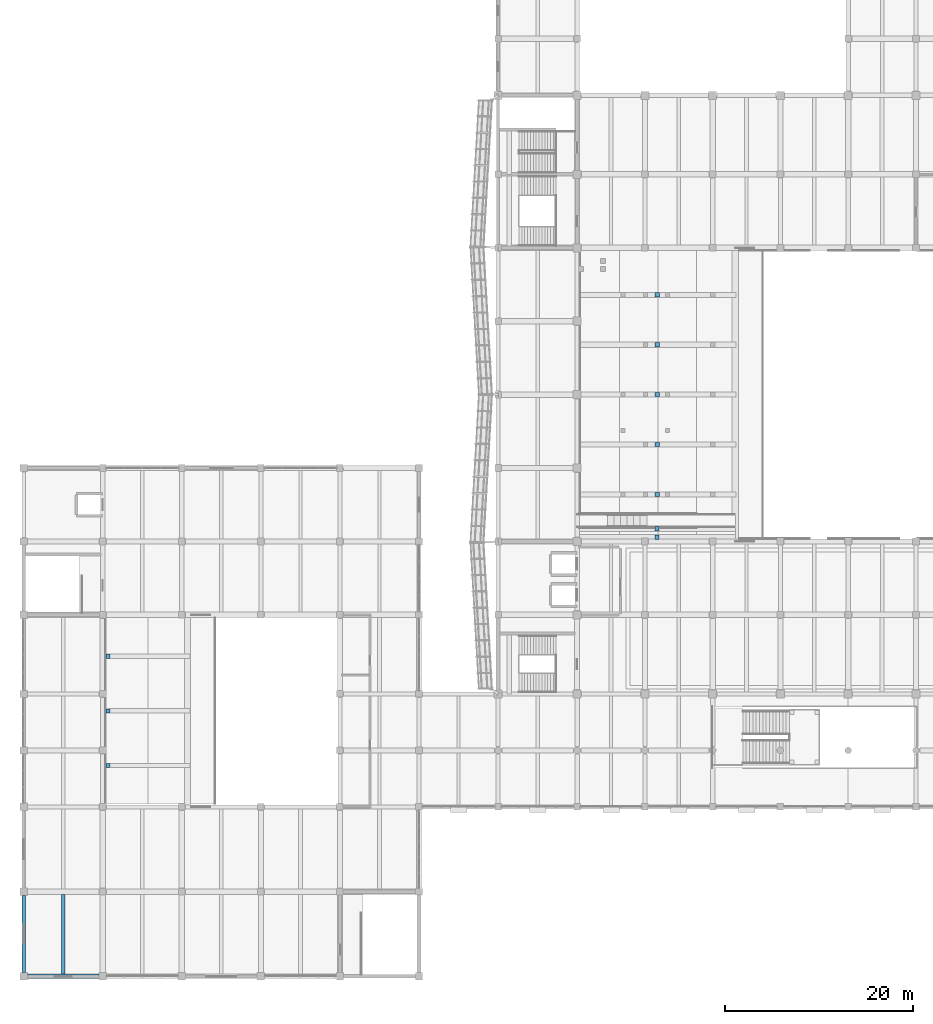
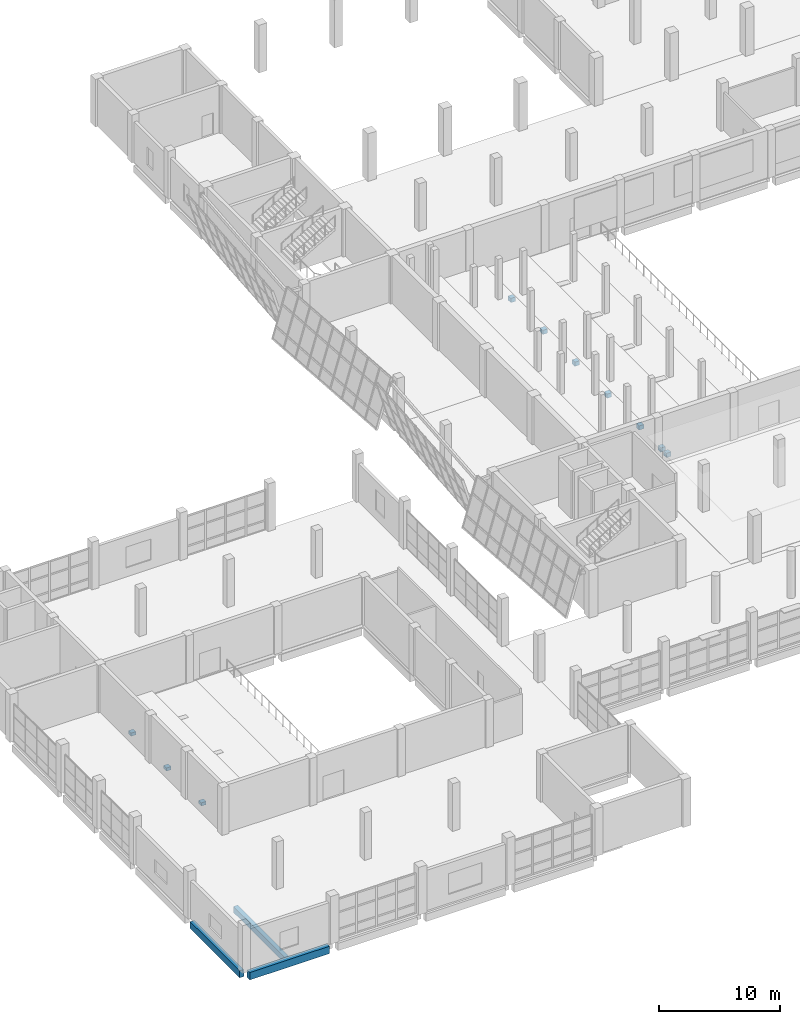
# One storey, part 3 of 91: 10 columns, 3 beams.
"""IFC4 building model written with IfcOpenShell, lengths in metres."""

import ifcopenshell
import ifcopenshell.guid

model = None  # the IFC model being written
_history = None  # IfcOwnerHistory: only IFC2X3 demands one
_inside = {}  # id of a spatial element -> (the spatial element, [elements in it])
_under = {}  # id of a project, library or spatial element -> (it, [spatial elements below it])
_declared = {}  # id of a project -> (the project, [libraries it declares])
_typed = {}  # id of a type object -> (the type object, [elements of that type])
_made_of = {}  # id of a material, layer set ... -> (it, [elements and type objects made of it])


def new_model(schema):
    """Start an empty IFC model of exactly this schema.

    Asked for "IFC4X3", IfcOpenShell would pick the latest addendum, in which some entities
    have other attributes; the version numbers below select the first issue.
    IFC2X3 requires an IfcOwnerHistory on every rooted entity: one is made here for all.
    """
    global model, _history
    if schema == "IFC4X3":
        model = ifcopenshell.file(schema_version=(4, 3, 0, 0))
    else:
        model = ifcopenshell.file(schema=schema)
    _inside.clear()
    _under.clear()
    _declared.clear()
    _typed.clear()
    _made_of.clear()
    _history = None
    if model.schema == "IFC2X3":
        org = make("IfcOrganization", Name="unknown")
        user = make(
            "IfcPersonAndOrganization",
            ThePerson=make("IfcPerson", FamilyName="unknown"),
            TheOrganization=org,
        )
        app = make(
            "IfcApplication",
            ApplicationDeveloper=org,
            Version="unknown",
            ApplicationFullName="unknown",
            ApplicationIdentifier="unknown",
        )
        _history = make(
            "IfcOwnerHistory",
            OwningUser=user,
            OwningApplication=app,
            ChangeAction="ADDED",
            CreationDate=0,
        )
    return model


def make(cls, **values):
    """One entity of the class cls with the attributes given. An attribute that is None is left unset."""
    return model.create_entity(
        cls, **{name: value for name, value in values.items() if value is not None}
    )


def rooted(cls, **values):
    """An entity with a GlobalId (a new one), such as an element, a storey or a relation."""
    return make(cls, GlobalId=ifcopenshell.guid.new(), OwnerHistory=_history, **values)


def si_unit(unit_type, name, prefix=None):
    """IfcSIUnit, for example si_unit("LENGTHUNIT", "METRE", prefix="MILLI")."""
    return make("IfcSIUnit", UnitType=unit_type, Prefix=prefix, Name=name)


def assignment(units):
    """IfcUnitAssignment: the units of a project."""
    return None if units is None else make("IfcUnitAssignment", Units=units)


def point(xyz):
    """IfcCartesianPoint."""
    return None if xyz is None else make("IfcCartesianPoint", Coordinates=xyz)


def direction(xyz):
    """IfcDirection."""
    return None if xyz is None else make("IfcDirection", DirectionRatios=xyz)


def frame(location, z_axis=None, x_axis=None):
    """IfcAxis2Placement3D, a coordinate frame: its origin and axes. An axis left out is left unset."""
    return make(
        "IfcAxis2Placement3D",
        Location=point(location),
        Axis=direction(z_axis),
        RefDirection=direction(x_axis),
    )


def frame_2d(location, x_axis=None):
    """IfcAxis2Placement2D, a coordinate frame in the plane: its origin and x axis."""
    return make(
        "IfcAxis2Placement2D", Location=point(location), RefDirection=direction(x_axis)
    )


def origin():
    """The frame at (0, 0, 0) with its axes left unset."""
    return frame((0.0, 0.0, 0.0))


def origin_2d():
    """The frame at (0, 0) in the plane with its x axis left unset."""
    return frame_2d((0.0, 0.0))


def place(relative_to, where):
    """IfcLocalPlacement: puts the frame where relative to a parent placement (None: the world)."""
    return make(
        "IfcLocalPlacement", PlacementRelTo=relative_to, RelativePlacement=where
    )


def context(
    kind, dimensions, precision=None, world=None, true_north=None, identifier=None
):
    """IfcGeometricRepresentationContext, for example the 3D "Model" context."""
    return make(
        "IfcGeometricRepresentationContext",
        ContextIdentifier=identifier,
        ContextType=kind,
        CoordinateSpaceDimension=dimensions,
        Precision=precision,
        WorldCoordinateSystem=world,
        TrueNorth=true_north,
    )


def subcontext(parent, identifier, kind, view, scale=None):
    """IfcGeometricRepresentationSubContext, for example "Body" below "Model"."""
    return make(
        "IfcGeometricRepresentationSubContext",
        ContextIdentifier=identifier,
        ContextType=kind,
        ParentContext=parent,
        TargetScale=scale,
        TargetView=view,
    )


def project(units=None, contexts=None):
    """IfcProject with its units and contexts."""
    return rooted(
        "IfcProject",
        Name="project",
        RepresentationContexts=contexts,
        UnitsInContext=assignment(units),
    )


def spatial(cls, under=None, at=None, **own):
    """A site, building, storey or space (cls), placed at a placement, below another one or the project."""
    s = rooted(cls, ObjectPlacement=at, **own)
    if under is not None:
        _under.setdefault(under.id(), (under, []))[1].append(s)
    return s


def profile(cls, at=None, kind="AREA", **sizes):
    """A parametric profile (cls). Its sizes go by their IFC names, for example OverallWidth=200.0."""
    return make(cls, ProfileType=kind, Position=at, **sizes)


def rectangle(**sizes):
    """IfcRectangleProfileDef."""
    return profile("IfcRectangleProfileDef", **sizes)


def extrude(swept, where, along, depth):
    """IfcExtrudedAreaSolid: the profile swept, set in the frame where, extruded along a direction by depth."""
    return make(
        "IfcExtrudedAreaSolid",
        SweptArea=swept,
        Position=where,
        ExtrudedDirection=direction(along),
        Depth=depth,
    )


def shape(context_of_items, identifier, shape_type, items):
    """IfcShapeRepresentation: the items that make up one representation, for example the "Body"."""
    return make(
        "IfcShapeRepresentation",
        ContextOfItems=context_of_items,
        RepresentationIdentifier=identifier,
        RepresentationType=shape_type,
        Items=items,
    )


def material(Name=None, Category=None):
    """IfcMaterial."""
    return make("IfcMaterial", Name=Name, Category=Category)


def material_profile(
    of_material, cross_section, Name=None, Category=None, Priority=None
):
    """IfcMaterialProfile: a cross section and its material."""
    return make(
        "IfcMaterialProfile",
        Name=Name,
        Material=of_material,
        Profile=cross_section,
        Priority=Priority,
        Category=Category,
    )


def profile_set(profiles, Name=None, composite=None):
    """IfcMaterialProfileSet."""
    return make(
        "IfcMaterialProfileSet",
        Name=Name,
        MaterialProfiles=profiles,
        CompositeProfile=composite,
    )


def made_of(thing, what):
    """Note that an element or type object is made of a material, layer set ...; save() writes the relation."""
    if what is not None:
        _made_of.setdefault(what.id(), (what, []))[1].append(thing)
    return thing


def type_object(cls, material=None, **own):
    """A type object (cls), such as IfcWallType, which elements share."""
    return made_of(rooted(cls, **own), material)


def element(
    cls,
    number,
    at=None,
    inside=None,
    cuts=None,
    type_object=None,
    material=None,
    context=None,
    identifier="Body",
    shape_type=None,
    held_by="IfcProductDefinitionShape",
    body=None,
    shapes=None,
    **own,
):
    """One element of the class cls, such as IfcWall. Its Tag is "e" and its number.

    at: its placement. inside: the storey or other place that contains it. cuts: it is an
    opening in that element (IfcRelVoidsElement). A single representation is given by context,
    identifier, shape_type and body (its items); several are given by shapes. held_by: the class
    of the entity that holds the representations. save() writes the other relations.
    """
    e = rooted(cls, Tag="e%d" % number, ObjectPlacement=at, **own)
    if body is not None:
        shapes = [shape(context, identifier, shape_type, body)]
    if shapes is not None:
        e.Representation = make(held_by, Representations=shapes)
    if inside is not None:
        _inside.setdefault(inside.id(), (inside, []))[1].append(e)
    if cuts is not None:
        rooted(
            "IfcRelVoidsElement", RelatingBuildingElement=cuts, RelatedOpeningElement=e
        )
    if type_object is not None:
        _typed.setdefault(type_object.id(), (type_object, []))[1].append(e)
    return made_of(e, material)


def aggregate(whole, parts):
    """IfcRelAggregates: a whole, such as a stair, and the parts it consists of."""
    return rooted("IfcRelAggregates", RelatingObject=whole, RelatedObjects=parts)


def save(model, path):
    """Write the relations noted so far, then the file.

    IfcRelAggregates (storeys below a building ...), IfcRelContainedInSpatialStructure (elements
    in a storey), IfcRelDefinesByType, IfcRelAssociatesMaterial and IfcRelDeclares: one each for
    every whole, place, type object, material and project.
    """
    for whole, parts in _under.values():
        aggregate(whole, parts)
    for where, things in _inside.values():
        rooted(
            "IfcRelContainedInSpatialStructure",
            RelatedElements=things,
            RelatingStructure=where,
        )
    for kind, things in _typed.values():
        rooted("IfcRelDefinesByType", RelatedObjects=things, RelatingType=kind)
    for what, things in _made_of.values():
        rooted("IfcRelAssociatesMaterial", RelatedObjects=things, RelatingMaterial=what)
    for by, libraries in _declared.values():
        rooted("IfcRelDeclares", RelatingContext=by, RelatedDefinitions=libraries)
    model.write(path)


model = new_model("IFC4")

# Units and contexts
model_context = context("Model", 3, precision=1e-05, world=origin(), true_north=direction((0.0, 1.0)))
body_context = subcontext(model_context, "Body", "Model", "MODEL_VIEW")
ifc_project = project(units=[si_unit("LENGTHUNIT", "METRE"), si_unit("AREAUNIT", "SQUARE_METRE"), si_unit("VOLUMEUNIT", "CUBIC_METRE"), si_unit("PLANEANGLEUNIT", "RADIAN"), si_unit("MASSUNIT", "GRAM", prefix="KILO")], contexts=[model_context])

# Site, building, storey
site_placement = place(None, origin())
site = spatial("IfcSite", under=ifc_project, at=site_placement, CompositionType="ELEMENT")
building_placement = place(site_placement, origin())
building = spatial("IfcBuilding", under=site, at=building_placement, Name="Pellamere Symphony Hall", CompositionType="ELEMENT")
storey_placement = place(building_placement, frame((0.0, 0.0, 5.39990234375)))
storey = spatial("IfcBuildingStorey", under=building, at=storey_placement, Name="L01", CompositionType="ELEMENT", Elevation=5.39990234375)

# Columns
ifc_material = material(Name="Concrete 40 MPa", Category="concrete")
ifc_material_profile_1 = material_profile(ifc_material, rectangle(XDim=0.449951171875, YDim=0.449951171875, at=origin_2d()), Name="RC 450x450")
ifc_profile_set_1 = profile_set([ifc_material_profile_1], Name="Concrete 40 MPa")
column_type = type_object("IfcColumnType", Name="RC Column CC-18 450x450", PredefinedType="COLUMN", material=ifc_profile_set_1)
for number, where, z_axis, x_axis, name in (
    (1, (8.949951171875, 22.39990234375, 0.0), (0.0, 0.0, 1.0), (1.0, 0.0, 0.0), "Under-Tier Raker Support Column RKC-003 (L01)"),
    (2, (8.949951171875, 28.199951171875, 0.0), (0.0, 0.0, 1.0), (1.0, 0.0, 0.0), "Under-Tier Raker Support Column RKC-006 (L01)"),
    (3, (8.949951171875, 34.0, 0.0), (0.0, 0.0, 1.0), (1.0, 0.0, 0.0), "Under-Tier Raker Support Column RKC-009 (L01)"),
):
    element("IfcColumn", number, at=place(storey_placement, frame(where, z_axis=z_axis, x_axis=x_axis)), inside=storey, type_object=column_type, Name=name, PredefinedType="COLUMN", context=body_context, shape_type="SweptSolid", body=[
        extrude(rectangle(XDim=0.449951171875, YDim=0.449951171875, at=origin_2d()), origin(), (0.0, 0.0, 1.0), 0.320068359375),
    ])
for number, where, z_axis, x_axis, name in (
    (4, (67.27490234375, 46.64990234375, 0.0), (0.0, 0.0, 1.0), (1.0, 0.0, 0.0), "Under-Tier Raker Support Column RKC-057 (L01)"),
    (5, (67.27490234375, 47.550048828125, 0.0), (0.0, 0.0, 1.0), (1.0, 0.0, 0.0), "Under-Tier Raker Support Column RKC-060 (L01)"),
):
    element("IfcColumn", number, at=place(storey_placement, frame(where, z_axis=z_axis, x_axis=x_axis)), inside=storey, type_object=column_type, Name=name, PredefinedType="COLUMN", context=body_context, shape_type="SweptSolid", body=[
        extrude(rectangle(XDim=0.449951171875, YDim=0.449951171875, at=origin_2d()), origin(), (0.0, 0.0, 1.0), 0.425048828125),
    ])
for number, where, z_axis, x_axis, name in (
    (6, (67.31201171875, 51.199951171875, 0.0), (0.0, 0.0, 1.0), (1.0, 0.0, 0.0), "Under-Tier Raker Support Column RKC-063 (L01)"),
    (7, (67.31201171875, 56.5, 0.0), (0.0, 0.0, 1.0), (1.0, 0.0, 0.0), "Under-Tier Raker Support Column RKC-066 (L01)"),
    (8, (67.31201171875, 61.800048828125, 0.0), (0.0, 0.0, 1.0), (1.0, 0.0, 0.0), "Under-Tier Raker Support Column RKC-069 (L01)"),
    (9, (67.31201171875, 67.10009765625, 0.0), (0.0, 0.0, 1.0), (1.0, 0.0, 0.0), "Under-Tier Raker Support Column RKC-072 (L01)"),
    (10, (67.31201171875, 72.39990234375, 0.0), (0.0, 0.0, 1.0), (1.0, 0.0, 0.0), "Under-Tier Raker Support Column RKC-075 (L01)"),
):
    element("IfcColumn", number, at=place(storey_placement, frame(where, z_axis=z_axis, x_axis=x_axis)), inside=storey, type_object=column_type, Name=name, PredefinedType="COLUMN", context=body_context, shape_type="SweptSolid", body=[
        extrude(rectangle(XDim=0.449951171875, YDim=0.449951171875, at=origin_2d()), origin(), (0.0, 0.0, 1.0), 0.4228515625),
    ])

# Beams
ifc_material_profile_2 = material_profile(ifc_material, rectangle(XDim=0.39990234375, YDim=0.60009765625, at=origin_2d()), Name="RC 400x600")
ifc_profile_set_2 = profile_set([ifc_material_profile_2], Name="Concrete 40 MPa")
beam_type_1 = type_object("IfcBeamType", Name="RC CB-09 400x600", PredefinedType="BEAM", material=ifc_profile_set_2)
beam_1_placement = place(storey_placement, frame((4.199951171875, 0.22509765625, -0.594970703125), z_axis=(0.0, 1.0, 0.0), x_axis=(-1.0, 0.0, 0.0)))
element("IfcBeam", 11, at=beam_1_placement, inside=storey, type_object=beam_type_1, Name="Secondary Floor Beam CB-09-M0000 (L01)", PredefinedType="BEAM", context=body_context, shape_type="SweptSolid", body=[
    extrude(rectangle(XDim=0.39990234375, YDim=0.60009765625, at=origin_2d()), origin(), (0.0, 0.0, 1.0), 8.494873046875),
])
ifc_material_profile_3 = material_profile(ifc_material, rectangle(XDim=0.449951171875, YDim=0.75, at=origin_2d()), Name="RC 450x750")
ifc_profile_set_3 = profile_set([ifc_material_profile_3], Name="Concrete 40 MPa")
beam_type_2 = type_object("IfcBeamType", Name="RC CB-12 450x750", PredefinedType="SPANDREL", material=ifc_profile_set_3)
beam_2_placement = place(storey_placement, frame((0.409912109375, 0.0, -0.65478515625), z_axis=(1.0, 0.0, 0.0), x_axis=(0.0, 1.0, 0.0)))
element("IfcBeam", 12, at=beam_2_placement, inside=storey, type_object=beam_type_2, Name="Girder CB-12-X0533 (L01)", PredefinedType="SPANDREL", context=body_context, shape_type="SweptSolid", body=[
    extrude(rectangle(XDim=0.449951171875, YDim=0.75, at=origin_2d()), origin(), (0.0, 0.0, 1.0), 7.580078125),
])
ifc_material_profile_4 = material_profile(ifc_material, rectangle(XDim=0.39990234375, YDim=0.699951171875, at=origin_2d()), Name="RC 400x700")
ifc_profile_set_4 = profile_set([ifc_material_profile_4], Name="Concrete 40 MPa")
beam_type_3 = type_object("IfcBeamType", Name="RC CB-13 400x700", PredefinedType="SPANDREL", material=ifc_profile_set_4)
beam_3_placement = place(storey_placement, frame((0.0, 0.409912109375, -0.6298828125), z_axis=(0.0, 1.0, 0.0), x_axis=(-1.0, 0.0, 0.0)))
element("IfcBeam", 13, at=beam_3_placement, inside=storey, type_object=beam_type_3, Name="Girder CB-13-Y0713 (L01)", PredefinedType="SPANDREL", context=body_context, shape_type="SweptSolid", body=[
    extrude(rectangle(XDim=0.39990234375, YDim=0.699951171875, at=origin_2d()), origin(), (0.0, 0.0, 1.0), 8.18017578125),
])

save(model, "model.ifc")
